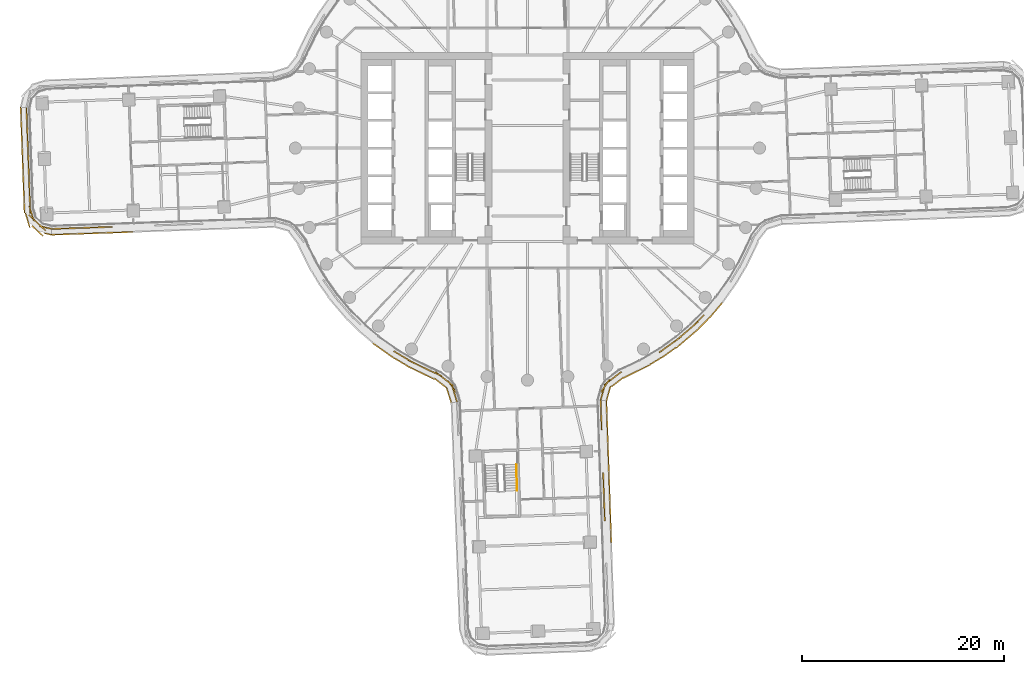
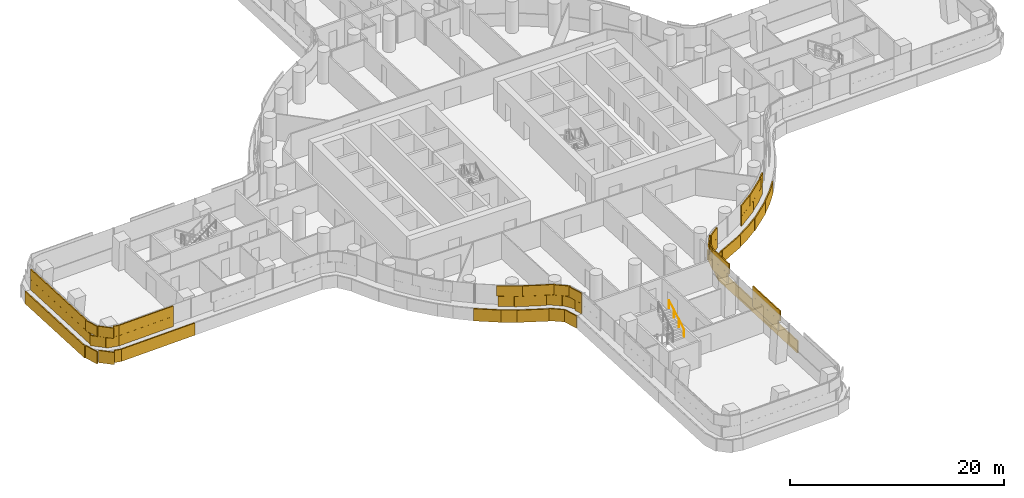
# One storey, part 26 of 31: 5 coverings, 1 railing.
"""IFC4 building model written with IfcOpenShell, lengths in metres."""

from ifc_helpers import new_model, si_unit, direction, frame, origin, origin_2d, place, context, subcontext, project, spatial, rectangle, circle, extrude, material, layer, layer_set, type_object, element, save


model = new_model("IFC4")

# Units and contexts
model_context = context("Model", 3, precision=1e-05, world=origin(), true_north=direction((0.0, 1.0)))
body_context = subcontext(model_context, "Body", "Model", "MODEL_VIEW")
ifc_project = project(units=[si_unit("LENGTHUNIT", "METRE"), si_unit("AREAUNIT", "SQUARE_METRE"), si_unit("VOLUMEUNIT", "CUBIC_METRE"), si_unit("PLANEANGLEUNIT", "RADIAN"), si_unit("MASSUNIT", "GRAM", prefix="KILO")], contexts=[model_context])

# Site, building, storey
site_placement = place(None, origin())
site = spatial("IfcSite", under=ifc_project, at=site_placement, CompositionType="ELEMENT")
building_placement = place(site_placement, origin())
building = spatial("IfcBuilding", under=site, at=building_placement, Name="Tamarind Cross Interchange Tower", CompositionType="ELEMENT")
storey_placement = place(building_placement, frame((0.0, 0.0, 41.5)))
storey = spatial("IfcBuildingStorey", under=building, at=storey_placement, Name="L08", CompositionType="ELEMENT", Elevation=41.5)

# Railing
ifc_material_1 = material(Name="Stair handrail")
railing_type = type_object("IfcRailingType", Name="Stair handrail", PredefinedType="HANDRAIL", material=ifc_material_1)
railing_placement = place(storey_placement, frame((-1.01513671875, -33.945068359375, 2.04541015625)))
element("IfcRailing", 1, at=railing_placement, inside=storey, type_object=railing_type, Name="L08 ST6 stair handrail 2", PredefinedType="HANDRAIL", context=body_context, shape_type="SweptSolid", body=[
    extrude(circle(Radius=0.02392578125, at=origin_2d()), frame((0.0, 0.0, 0.8759765625), z_axis=(-0.03046795916, 0.835748683852, 0.548266213535), x_axis=(-0.999336145809, -0.036431685105, 0.0)), (0.0, 0.0, 1.0), 3.109130859375),
    extrude(circle(Radius=0.02099609375, at=origin_2d()), origin(), (0.0, 0.0, 1.0), 0.851806640625),
    extrude(circle(Radius=0.02099609375, at=origin_2d()), frame((-0.031494140625, 0.8662109375, 0.568115234375)), (0.0, 0.0, 1.0), 0.851806640625),
    extrude(circle(Radius=0.02099609375, at=origin_2d()), frame((-0.063232421875, 1.732177734375, 1.136474609375)), (0.0, 0.0, 1.0), 0.851806640625),
    extrude(circle(Radius=0.02099609375, at=origin_2d()), frame((-0.0947265625, 2.598388671875, 1.70458984375)), (0.0, 0.0, 1.0), 0.851806640625),
])

# Coverings
ifc_material_2 = material(Name="Terracotta", Category="masonry")
ifc_layer = layer(ifc_material_2, 0.1201171875)
ifc_layer_set = layer_set([ifc_layer], Name="Terracotta")
covering_type = type_object("IfcCoveringType", Name="Terracotta baguette screen unit", PredefinedType="MOLDING", material=ifc_layer_set)
covering_1_placement = place(storey_placement, origin())
element("IfcCovering", 2, at=covering_1_placement, inside=storey, type_object=covering_type, Name="SCR-L08-00-00", PredefinedType="MOLDING", context=body_context, shape_type="SweptSolid", body=[
    extrude(rectangle(XDim=1.510009765625, YDim=0.1201171875, at=origin_2d()), frame((-49.629150390625, 3.256591796875, 1.404052734375), z_axis=(0.0, 0.0, 1.0), x_axis=(0.036462315768, -0.999335028671, 0.0)), (0.0, 0.0, 1.0), 1.1669921875),
    extrude(rectangle(XDim=1.52001953125, YDim=0.1201171875, at=origin_2d()), frame((-49.574462890625, 1.757568359375, 1.404052734375), z_axis=(0.0, 0.0, 1.0), x_axis=(0.036462315768, -0.999335028671, 0.0)), (0.0, 0.0, 1.0), 1.1669921875),
    extrude(rectangle(XDim=1.52001953125, YDim=0.1201171875, at=origin_2d()), frame((-49.519775390625, 0.258544921875, 1.404052734375), z_axis=(0.0, 0.0, 1.0), x_axis=(0.036462315768, -0.999335028671, 0.0)), (0.0, 0.0, 1.0), 1.1669921875),
    extrude(rectangle(XDim=1.52001953125, YDim=0.1201171875, at=origin_2d()), frame((-49.465087890625, -1.240478515625, 1.404052734375), z_axis=(0.0, 0.0, 1.0), x_axis=(0.036462315768, -0.999335028671, 0.0)), (0.0, 0.0, 1.0), 1.1669921875),
    extrude(rectangle(XDim=1.52001953125, YDim=0.1201171875, at=origin_2d()), frame((-49.410400390625, -2.739501953125, 1.404052734375), z_axis=(0.0, 0.0, 1.0), x_axis=(0.036462315768, -0.999335028671, 0.0)), (0.0, 0.0, 1.0), 1.1669921875),
    extrude(rectangle(XDim=1.52001953125, YDim=0.1201171875, at=origin_2d()), frame((-49.355712890625, -4.238525390625, 1.404052734375), z_axis=(0.0, 0.0, 1.0), x_axis=(0.036462315768, -0.999335028671, 0.0)), (0.0, 0.0, 1.0), 1.1669921875),
    extrude(rectangle(XDim=1.52001953125, YDim=0.1201171875, at=origin_2d()), frame((-49.301025390625, -5.737548828125, 1.404052734375), z_axis=(0.0, 0.0, 1.0), x_axis=(0.036462315768, -0.999335028671, 0.0)), (0.0, 0.0, 1.0), 1.1669921875),
    extrude(rectangle(XDim=1.52001953125, YDim=0.1201171875, at=origin_2d()), frame((-48.86279296875, -7.140380859375, 1.404052734375), z_axis=(0.0, 0.0, 1.0), x_axis=(0.732419326188, -0.680853824713, 0.0)), (0.0, 0.0, 1.0), 1.1669921875),
    extrude(rectangle(XDim=1.259521484375, YDim=0.1201171875, at=origin_2d()), frame((-47.74755859375, -7.872314453125, 1.404052734375), z_axis=(0.0, 0.0, 1.0), x_axis=(0.974720655058, -0.223427045372, 0.0)), (0.0, 0.0, 1.0), 1.1669921875),
    extrude(rectangle(XDim=0.760009765625, YDim=0.1201171875, at=origin_2d()), frame((-49.642822265625, 3.63134765625, 2.5791015625), z_axis=(0.0, 0.0, 1.0), x_axis=(0.036462315768, -0.999335028671, 0.0)), (0.0, 0.0, 1.0), 1.1669921875),
    extrude(rectangle(XDim=1.52001953125, YDim=0.1201171875, at=origin_2d()), frame((-49.601806640625, 2.507080078125, 2.5791015625), z_axis=(0.0, 0.0, 1.0), x_axis=(0.036462315768, -0.999335028671, 0.0)), (0.0, 0.0, 1.0), 1.1669921875),
    extrude(rectangle(XDim=1.52001953125, YDim=0.1201171875, at=origin_2d()), frame((-49.547119140625, 1.008056640625, 2.5791015625), z_axis=(0.0, 0.0, 1.0), x_axis=(0.036462315768, -0.999335028671, 0.0)), (0.0, 0.0, 1.0), 1.1669921875),
    extrude(rectangle(XDim=1.52001953125, YDim=0.1201171875, at=origin_2d()), frame((-49.492431640625, -0.490966796875, 2.5791015625), z_axis=(0.0, 0.0, 1.0), x_axis=(0.036462315768, -0.999335028671, 0.0)), (0.0, 0.0, 1.0), 1.1669921875),
    extrude(rectangle(XDim=1.52001953125, YDim=0.1201171875, at=origin_2d()), frame((-49.437744140625, -1.989990234375, 2.5791015625), z_axis=(0.0, 0.0, 1.0), x_axis=(0.036462315768, -0.999335028671, 0.0)), (0.0, 0.0, 1.0), 1.1669921875),
    extrude(rectangle(XDim=1.52001953125, YDim=0.1201171875, at=origin_2d()), frame((-49.383056640625, -3.489013671875, 2.5791015625), z_axis=(0.0, 0.0, 1.0), x_axis=(0.036462315768, -0.999335028671, 0.0)), (0.0, 0.0, 1.0), 1.1669921875),
    extrude(rectangle(XDim=1.52001953125, YDim=0.1201171875, at=origin_2d()), frame((-49.328369140625, -4.988037109375, 2.5791015625), z_axis=(0.0, 0.0, 1.0), x_axis=(0.036462315768, -0.999335028671, 0.0)), (0.0, 0.0, 1.0), 1.1669921875),
    extrude(rectangle(XDim=1.52001953125, YDim=0.1201171875, at=origin_2d()), frame((-49.151123046875, -6.46630859375, 2.5791015625), z_axis=(0.0, 0.0, 1.0), x_axis=(0.293866830345, -0.955846371559, 0.0)), (0.0, 0.0, 1.0), 1.1669921875),
    extrude(rectangle(XDim=1.52001953125, YDim=0.1201171875, at=origin_2d()), frame((-48.3134765625, -7.651123046875, 2.5791015625), z_axis=(0.0, 0.0, 1.0), x_axis=(0.732419326188, -0.680853824713, 0.0)), (0.0, 0.0, 1.0), 1.1669921875),
    extrude(rectangle(XDim=0.509521484375, YDim=0.1201171875, at=origin_2d()), frame((-47.382080078125, -7.9560546875, 2.5791015625), z_axis=(0.0, 0.0, 1.0), x_axis=(0.974720655058, -0.223427045372, 0.0)), (0.0, 0.0, 1.0), 1.1669921875),
    extrude(rectangle(XDim=1.510009765625, YDim=0.1201171875, at=origin_2d()), frame((-50.20556640625, 3.30615234375, 0.00390625), z_axis=(0.0, 0.0, 1.0), x_axis=(0.036462315768, -0.999335028671, 0.0)), (0.0, 0.0, 1.0), 1.39208984375),
    extrude(rectangle(XDim=1.52001953125, YDim=0.1201171875, at=origin_2d()), frame((-50.15087890625, 1.812255859375, 0.00390625), z_axis=(0.0, 0.0, 1.0), x_axis=(0.036462315768, -0.999335028671, 0.0)), (0.0, 0.0, 1.0), 1.39208984375),
    extrude(rectangle(XDim=1.52001953125, YDim=0.1201171875, at=origin_2d()), frame((-50.09619140625, 0.313232421875, 0.00390625), z_axis=(0.0, 0.0, 1.0), x_axis=(0.036462315768, -0.999335028671, 0.0)), (0.0, 0.0, 1.0), 1.39208984375),
    extrude(rectangle(XDim=1.52001953125, YDim=0.1201171875, at=origin_2d()), frame((-50.04150390625, -1.185791015625, 0.00390625), z_axis=(0.0, 0.0, 1.0), x_axis=(0.036462315768, -0.999335028671, 0.0)), (0.0, 0.0, 1.0), 1.39208984375),
    extrude(rectangle(XDim=1.52001953125, YDim=0.1201171875, at=origin_2d()), frame((-49.98681640625, -2.684814453125, 0.00390625), z_axis=(0.0, 0.0, 1.0), x_axis=(0.036462315768, -0.999335028671, 0.0)), (0.0, 0.0, 1.0), 1.39208984375),
    extrude(rectangle(XDim=1.52001953125, YDim=0.1201171875, at=origin_2d()), frame((-49.93212890625, -4.183837890625, 0.00390625), z_axis=(0.0, 0.0, 1.0), x_axis=(0.036462315768, -0.999335028671, 0.0)), (0.0, 0.0, 1.0), 1.39208984375),
    extrude(rectangle(XDim=1.52001953125, YDim=0.1201171875, at=origin_2d()), frame((-49.87744140625, -5.682861328125, 0.00390625), z_axis=(0.0, 0.0, 1.0), x_axis=(0.036462315768, -0.999335028671, 0.0)), (0.0, 0.0, 1.0), 1.39208984375),
    extrude(rectangle(XDim=1.52001953125, YDim=0.1201171875, at=origin_2d()), frame((-49.546142578125, -7.135009765625, 0.00390625), z_axis=(0.0, 0.0, 1.0), x_axis=(0.293866830345, -0.955846371559, 0.0)), (0.0, 0.0, 1.0), 1.39208984375),
    extrude(rectangle(XDim=1.52001953125, YDim=0.1201171875, at=origin_2d()), frame((-48.546142578125, -8.21826171875, 0.00390625), z_axis=(0.0, 0.0, 1.0), x_axis=(0.732419326188, -0.680853824713, 0.0)), (0.0, 0.0, 1.0), 1.39208984375),
    extrude(rectangle(XDim=0.676513671875, YDim=0.1201171875, at=origin_2d()), frame((-47.5234375, -8.5126953125, 0.00390625), z_axis=(0.0, 0.0, 1.0), x_axis=(0.974720655058, -0.223427045372, 0.0)), (0.0, 0.0, 1.0), 1.39208984375),
])
covering_2_placement = place(storey_placement, origin())
element("IfcCovering", 3, at=covering_2_placement, inside=storey, type_object=covering_type, Name="SCR-L08-01-00", PredefinedType="MOLDING", context=body_context, shape_type="SweptSolid", body=[
    extrude(rectangle(XDim=1.510009765625, YDim=0.1201171875, at=origin_2d()), frame((-46.38916015625, -7.986083984375, 1.404052734375), z_axis=(0.0, 0.0, 1.0), x_axis=(0.999410116016, 0.034342684894, 0.0)), (0.0, 0.0, 1.0), 1.1669921875),
    extrude(rectangle(XDim=1.52001953125, YDim=0.1201171875, at=origin_2d()), frame((-44.889892578125, -7.9345703125, 1.404052734375), z_axis=(0.0, 0.0, 1.0), x_axis=(0.999410116016, 0.034342684894, 0.0)), (0.0, 0.0, 1.0), 1.1669921875),
    extrude(rectangle(XDim=1.52001953125, YDim=0.1201171875, at=origin_2d()), frame((-43.390869140625, -7.883056640625, 1.404052734375), z_axis=(0.0, 0.0, 1.0), x_axis=(0.999410116016, 0.034342684894, 0.0)), (0.0, 0.0, 1.0), 1.1669921875),
    extrude(rectangle(XDim=1.52001953125, YDim=0.1201171875, at=origin_2d()), frame((-41.891845703125, -7.83154296875, 1.404052734375), z_axis=(0.0, 0.0, 1.0), x_axis=(0.999410116016, 0.034342684894, 0.0)), (0.0, 0.0, 1.0), 1.1669921875),
    extrude(rectangle(XDim=0.760009765625, YDim=0.1201171875, at=origin_2d()), frame((-46.763916015625, -7.9990234375, 2.5791015625), z_axis=(0.0, 0.0, 1.0), x_axis=(0.999410116016, 0.034342684894, 0.0)), (0.0, 0.0, 1.0), 1.1669921875),
    extrude(rectangle(XDim=1.52001953125, YDim=0.1201171875, at=origin_2d()), frame((-45.6396484375, -7.96044921875, 2.5791015625), z_axis=(0.0, 0.0, 1.0), x_axis=(0.999410116016, 0.034342684894, 0.0)), (0.0, 0.0, 1.0), 1.1669921875),
    extrude(rectangle(XDim=1.52001953125, YDim=0.1201171875, at=origin_2d()), frame((-44.140380859375, -7.908935546875, 2.5791015625), z_axis=(0.0, 0.0, 1.0), x_axis=(0.999410116016, 0.034342684894, 0.0)), (0.0, 0.0, 1.0), 1.1669921875),
    extrude(rectangle(XDim=1.52001953125, YDim=0.1201171875, at=origin_2d()), frame((-42.641357421875, -7.857421875, 2.5791015625), z_axis=(0.0, 0.0, 1.0), x_axis=(0.999410116016, 0.034342684894, 0.0)), (0.0, 0.0, 1.0), 1.1669921875),
    extrude(rectangle(XDim=0.76123046875, YDim=0.1201171875, at=origin_2d()), frame((-41.516357421875, -7.818603515625, 2.5791015625), z_axis=(0.0, 0.0, 1.0), x_axis=(0.999410116016, 0.034342684894, 0.0)), (0.0, 0.0, 1.0), 1.1669921875),
    extrude(rectangle(XDim=1.510009765625, YDim=0.1201171875, at=origin_2d()), frame((-46.439208984375, -8.562255859375, 0.00390625), z_axis=(0.0, 0.0, 1.0), x_axis=(0.999410116016, 0.034342684894, 0.0)), (0.0, 0.0, 1.0), 1.39208984375),
    extrude(rectangle(XDim=1.52001953125, YDim=0.1201171875, at=origin_2d()), frame((-44.945068359375, -8.510986328125, 0.00390625), z_axis=(0.0, 0.0, 1.0), x_axis=(0.999410116016, 0.034342684894, 0.0)), (0.0, 0.0, 1.0), 1.39208984375),
    extrude(rectangle(XDim=1.52001953125, YDim=0.1201171875, at=origin_2d()), frame((-43.446044921875, -8.45947265625, 0.00390625), z_axis=(0.0, 0.0, 1.0), x_axis=(0.999410116016, 0.034342684894, 0.0)), (0.0, 0.0, 1.0), 1.39208984375),
    extrude(rectangle(XDim=1.52001953125, YDim=0.1201171875, at=origin_2d()), frame((-41.947021484375, -8.407958984375, 0.00390625), z_axis=(0.0, 0.0, 1.0), x_axis=(0.999410116016, 0.034342684894, 0.0)), (0.0, 0.0, 1.0), 1.39208984375),
    extrude(rectangle(XDim=1.52001953125, YDim=0.1201171875, at=origin_2d()), frame((-40.44775390625, -8.3564453125, 0.00390625), z_axis=(0.0, 0.0, 1.0), x_axis=(0.999410116016, 0.034342684894, 0.0)), (0.0, 0.0, 1.0), 1.39208984375),
    extrude(rectangle(XDim=0.606201171875, YDim=0.1201171875, at=origin_2d()), frame((-39.4052734375, -8.320556640625, 0.00390625), z_axis=(0.0, 0.0, 1.0), x_axis=(0.999410116016, 0.034342684894, 0.0)), (0.0, 0.0, 1.0), 1.39208984375),
])
covering_3_placement = place(storey_placement, origin())
element("IfcCovering", 4, at=covering_3_placement, inside=storey, type_object=covering_type, Name="SCR-L08-02-01", PredefinedType="MOLDING", context=body_context, shape_type="SweptSolid", body=[
    extrude(rectangle(XDim=1.52001953125, YDim=0.1201171875, at=origin_2d()), frame((-12.492919921875, -20.571044921875, 1.404052734375), z_axis=(0.0, 0.0, 1.0), x_axis=(0.861248933065, -0.508183308752, 0.0)), (0.0, 0.0, 1.0), 1.1669921875),
    extrude(rectangle(XDim=1.52001953125, YDim=0.1201171875, at=origin_2d()), frame((-11.193115234375, -21.31884765625, 1.404052734375), z_axis=(0.0, 0.0, 1.0), x_axis=(0.900272776334, -0.435326231914, 0.0)), (0.0, 0.0, 1.0), 1.1669921875),
    extrude(rectangle(XDim=1.52001953125, YDim=0.1201171875, at=origin_2d()), frame((-9.8427734375, -21.971923828125, 1.404052734375), z_axis=(0.0, 0.0, 1.0), x_axis=(0.900272776334, -0.435326231914, 0.0)), (0.0, 0.0, 1.0), 1.1669921875),
    extrude(rectangle(XDim=1.52001953125, YDim=0.1201171875, at=origin_2d()), frame((-8.510986328125, -22.6474609375, 1.404052734375), z_axis=(0.0, 0.0, 1.0), x_axis=(0.788392682786, -0.615172315477, 0.0)), (0.0, 0.0, 1.0), 1.1669921875),
    extrude(rectangle(XDim=1.52001953125, YDim=0.1201171875, at=origin_2d()), frame((-7.438720703125, -23.67578125, 1.404052734375), z_axis=(0.0, 0.0, 1.0), x_axis=(0.579094862794, -0.815260166993, 0.0)), (0.0, 0.0, 1.0), 1.1669921875),
    extrude(rectangle(XDim=0.8056640625, YDim=0.1201171875, at=origin_2d()), frame((-7.097412109375, -24.771484375, 1.404052734375), z_axis=(0.0, 0.0, 1.0), x_axis=(0.295921514349, -0.955212257745, 0.0)), (0.0, 0.0, 1.0), 1.1669921875),
    extrude(rectangle(XDim=0.90576171875, YDim=0.1201171875, at=origin_2d()), frame((-12.878662109375, -20.343505859375, 2.5791015625), z_axis=(0.0, 0.0, 1.0), x_axis=(0.861248933065, -0.508183308752, 0.0)), (0.0, 0.0, 1.0), 1.1669921875),
    extrude(rectangle(XDim=1.52001953125, YDim=0.1201171875, at=origin_2d()), frame((-11.846923828125, -20.9521484375, 2.5791015625), z_axis=(0.0, 0.0, 1.0), x_axis=(0.861248933065, -0.508183308752, 0.0)), (0.0, 0.0, 1.0), 1.1669921875),
    extrude(rectangle(XDim=1.52001953125, YDim=0.1201171875, at=origin_2d()), frame((-10.51806640625, -21.645263671875, 2.5791015625), z_axis=(0.0, 0.0, 1.0), x_axis=(0.900272776334, -0.435326231914, 0.0)), (0.0, 0.0, 1.0), 1.1669921875),
    extrude(rectangle(XDim=1.52001953125, YDim=0.1201171875, at=origin_2d()), frame((-9.1611328125, -22.2841796875, 2.5791015625), z_axis=(0.0, 0.0, 1.0), x_axis=(0.914475969182, -0.404640212769, 0.0)), (0.0, 0.0, 1.0), 1.1669921875),
    extrude(rectangle(XDim=1.52001953125, YDim=0.1201171875, at=origin_2d()), frame((-7.919677734375, -23.10888671875, 2.5791015625), z_axis=(0.0, 0.0, 1.0), x_axis=(0.788392682786, -0.615172315477, 0.0)), (0.0, 0.0, 1.0), 1.1669921875),
    extrude(rectangle(XDim=1.52001953125, YDim=0.1201171875, at=origin_2d()), frame((-7.21533203125, -24.391357421875, 2.5791015625), z_axis=(0.0, 0.0, 1.0), x_axis=(0.295921514349, -0.955212257745, 0.0)), (0.0, 0.0, 1.0), 1.1669921875),
    extrude(rectangle(XDim=0.0556640625, YDim=0.1201171875, at=origin_2d()), frame((-6.986572265625, -25.129638671875, 2.5791015625), z_axis=(0.0, 0.0, 1.0), x_axis=(0.295921514349, -0.955212257745, 0.0)), (0.0, 0.0, 1.0), 1.1669921875),
    extrude(rectangle(XDim=1.076904296875, YDim=0.1201171875, at=origin_2d()), frame((-14.886962890625, -19.650146484375, 0.00390625), z_axis=(0.0, 0.0, 1.0), x_axis=(0.816341886298, -0.577568978284, 0.0)), (0.0, 0.0, 1.0), 1.39208984375),
    extrude(rectangle(XDim=1.52001953125, YDim=0.1201171875, at=origin_2d()), frame((-13.84326171875, -20.388427734375, 0.00390625), z_axis=(0.0, 0.0, 1.0), x_axis=(0.816341886298, -0.577568978284, 0.0)), (0.0, 0.0, 1.0), 1.39208984375),
    extrude(rectangle(XDim=1.52001953125, YDim=0.1201171875, at=origin_2d()), frame((-12.57568359375, -21.1884765625, 0.00390625), z_axis=(0.0, 0.0, 1.0), x_axis=(0.861248933065, -0.508183308752, 0.0)), (0.0, 0.0, 1.0), 1.39208984375),
    extrude(rectangle(XDim=1.52001953125, YDim=0.1201171875, at=origin_2d()), frame((-11.267578125, -21.92041015625, 0.00390625), z_axis=(0.0, 0.0, 1.0), x_axis=(0.900272776334, -0.435326231914, 0.0)), (0.0, 0.0, 1.0), 1.39208984375),
    extrude(rectangle(XDim=1.52001953125, YDim=0.1201171875, at=origin_2d()), frame((-9.917236328125, -22.573486328125, 0.00390625), z_axis=(0.0, 0.0, 1.0), x_axis=(0.900272776334, -0.435326231914, 0.0)), (0.0, 0.0, 1.0), 1.39208984375),
    extrude(rectangle(XDim=1.52001953125, YDim=0.1201171875, at=origin_2d()), frame((-8.61376953125, -23.295166015625, 0.00390625), z_axis=(0.0, 0.0, 1.0), x_axis=(0.788392682786, -0.615172315477, 0.0)), (0.0, 0.0, 1.0), 1.39208984375),
    extrude(rectangle(XDim=1.52001953125, YDim=0.1201171875, at=origin_2d()), frame((-7.78759765625, -24.48388671875, 0.00390625), z_axis=(0.0, 0.0, 1.0), x_axis=(0.295921514349, -0.955212257745, 0.0)), (0.0, 0.0, 1.0), 1.39208984375),
    extrude(rectangle(XDim=0.060546875, YDim=0.1201171875, at=origin_2d()), frame((-7.5595703125, -25.2197265625, 0.00390625), z_axis=(0.0, 0.0, 1.0), x_axis=(0.295921514349, -0.955212257745, 0.0)), (0.0, 0.0, 1.0), 1.39208984375),
])
covering_4_placement = place(storey_placement, origin())
element("IfcCovering", 5, at=covering_4_placement, inside=storey, type_object=covering_type, Name="SCR-L08-05-01", PredefinedType="MOLDING", context=body_context, shape_type="SweptSolid", body=[
    extrude(rectangle(XDim=1.52001953125, YDim=0.1201171875, at=origin_2d()), frame((7.62548828125, -35.895263671875, 1.404052734375), z_axis=(0.0, 0.0, 1.0), x_axis=(-0.034342684894, 0.999410116016, 0.0)), (0.0, 0.0, 1.0), 1.1669921875),
    extrude(rectangle(XDim=1.52001953125, YDim=0.1201171875, at=origin_2d()), frame((7.573974609375, -34.396240234375, 1.404052734375), z_axis=(0.0, 0.0, 1.0), x_axis=(-0.034342684894, 0.999410116016, 0.0)), (0.0, 0.0, 1.0), 1.1669921875),
    extrude(rectangle(XDim=1.52001953125, YDim=0.1201171875, at=origin_2d()), frame((7.5224609375, -32.89697265625, 1.404052734375), z_axis=(0.0, 0.0, 1.0), x_axis=(-0.034342684894, 0.999410116016, 0.0)), (0.0, 0.0, 1.0), 1.1669921875),
    extrude(rectangle(XDim=1.52001953125, YDim=0.1201171875, at=origin_2d()), frame((7.31640625, -26.900634765625, 1.404052734375), z_axis=(0.0, 0.0, 1.0), x_axis=(-0.034342684894, 0.999410116016, 0.0)), (0.0, 0.0, 1.0), 1.1669921875),
    extrude(rectangle(XDim=1.177490234375, YDim=0.1201171875, at=origin_2d()), frame((7.270751953125, -25.567626953125, 1.404052734375), z_axis=(0.0, 0.0, 1.0), x_axis=(-0.034342684894, 0.999410116016, 0.0)), (0.0, 0.0, 1.0), 1.1669921875),
    extrude(rectangle(XDim=1.05859375, YDim=0.1201171875, at=origin_2d()), frame((7.6435546875, -36.41943359375, 2.5791015625), z_axis=(0.0, 0.0, 1.0), x_axis=(-0.034342684894, 0.999410116016, 0.0)), (0.0, 0.0, 1.0), 1.1669921875),
    extrude(rectangle(XDim=1.52001953125, YDim=0.1201171875, at=origin_2d()), frame((7.599853515625, -35.145751953125, 2.5791015625), z_axis=(0.0, 0.0, 1.0), x_axis=(-0.034342684894, 0.999410116016, 0.0)), (0.0, 0.0, 1.0), 1.1669921875),
    extrude(rectangle(XDim=1.52001953125, YDim=0.1201171875, at=origin_2d()), frame((7.54833984375, -33.646728515625, 2.5791015625), z_axis=(0.0, 0.0, 1.0), x_axis=(-0.034342684894, 0.999410116016, 0.0)), (0.0, 0.0, 1.0), 1.1669921875),
    extrude(rectangle(XDim=0.760498046875, YDim=0.1201171875, at=origin_2d()), frame((7.509765625, -32.52197265625, 2.5791015625), z_axis=(0.0, 0.0, 1.0), x_axis=(-0.034342684894, 0.999410116016, 0.0)), (0.0, 0.0, 1.0), 1.1669921875),
    extrude(rectangle(XDim=1.0595703125, YDim=0.1201171875, at=origin_2d()), frame((7.33447265625, -27.425048828125, 2.5791015625), z_axis=(0.0, 0.0, 1.0), x_axis=(-0.034342684894, 0.999410116016, 0.0)), (0.0, 0.0, 1.0), 1.1669921875),
    extrude(rectangle(XDim=1.52001953125, YDim=0.1201171875, at=origin_2d()), frame((7.290771484375, -26.151123046875, 2.5791015625), z_axis=(0.0, 0.0, 1.0), x_axis=(-0.034342684894, 0.999410116016, 0.0)), (0.0, 0.0, 1.0), 1.1669921875),
    extrude(rectangle(XDim=0.427490234375, YDim=0.1201171875, at=origin_2d()), frame((7.2578125, -25.19287109375, 2.5791015625), z_axis=(0.0, 0.0, 1.0), x_axis=(-0.034342684894, 0.999410116016, 0.0)), (0.0, 0.0, 1.0), 1.1669921875),
    extrude(rectangle(XDim=0.913818359375, YDim=0.1201171875, at=origin_2d()), frame((8.29443359375, -38.645751953125, 0.00390625), z_axis=(0.0, 0.0, 1.0), x_axis=(-0.034342684894, 0.999410116016, 0.0)), (0.0, 0.0, 1.0), 1.39208984375),
    extrude(rectangle(XDim=1.52001953125, YDim=0.1201171875, at=origin_2d()), frame((8.25341796875, -37.44970703125, 0.00390625), z_axis=(0.0, 0.0, 1.0), x_axis=(-0.034342684894, 0.999410116016, 0.0)), (0.0, 0.0, 1.0), 1.39208984375),
    extrude(rectangle(XDim=1.52001953125, YDim=0.1201171875, at=origin_2d()), frame((8.201904296875, -35.950439453125, 0.00390625), z_axis=(0.0, 0.0, 1.0), x_axis=(-0.034342684894, 0.999410116016, 0.0)), (0.0, 0.0, 1.0), 1.39208984375),
    extrude(rectangle(XDim=1.52001953125, YDim=0.1201171875, at=origin_2d()), frame((8.150390625, -34.451416015625, 0.00390625), z_axis=(0.0, 0.0, 1.0), x_axis=(-0.034342684894, 0.999410116016, 0.0)), (0.0, 0.0, 1.0), 1.39208984375),
    extrude(rectangle(XDim=1.52001953125, YDim=0.1201171875, at=origin_2d()), frame((8.098876953125, -32.9521484375, 0.00390625), z_axis=(0.0, 0.0, 1.0), x_axis=(-0.034342684894, 0.999410116016, 0.0)), (0.0, 0.0, 1.0), 1.39208984375),
    extrude(rectangle(XDim=1.52001953125, YDim=0.1201171875, at=origin_2d()), frame((8.04736328125, -31.453125, 0.00390625), z_axis=(0.0, 0.0, 1.0), x_axis=(-0.034342684894, 0.999410116016, 0.0)), (0.0, 0.0, 1.0), 1.39208984375),
    extrude(rectangle(XDim=1.52001953125, YDim=0.1201171875, at=origin_2d()), frame((7.995849609375, -29.9541015625, 0.00390625), z_axis=(0.0, 0.0, 1.0), x_axis=(-0.034342684894, 0.999410116016, 0.0)), (0.0, 0.0, 1.0), 1.39208984375),
    extrude(rectangle(XDim=1.52001953125, YDim=0.1201171875, at=origin_2d()), frame((7.9443359375, -28.454833984375, 0.00390625), z_axis=(0.0, 0.0, 1.0), x_axis=(-0.034342684894, 0.999410116016, 0.0)), (0.0, 0.0, 1.0), 1.39208984375),
    extrude(rectangle(XDim=1.52001953125, YDim=0.1201171875, at=origin_2d()), frame((7.892822265625, -26.955810546875, 0.00390625), z_axis=(0.0, 0.0, 1.0), x_axis=(-0.034342684894, 0.999410116016, 0.0)), (0.0, 0.0, 1.0), 1.39208984375),
    extrude(rectangle(XDim=1.16357421875, YDim=0.1201171875, at=origin_2d()), frame((7.847412109375, -25.634765625, 0.00390625), z_axis=(0.0, 0.0, 1.0), x_axis=(-0.034342684894, 0.999410116016, 0.0)), (0.0, 0.0, 1.0), 1.39208984375),
])
covering_5_placement = place(storey_placement, origin())
element("IfcCovering", 6, at=covering_5_placement, inside=storey, type_object=covering_type, Name="SCR-L08-06-00", PredefinedType="MOLDING", context=body_context, shape_type="SweptSolid", body=[
    extrude(rectangle(XDim=1.510009765625, YDim=0.1201171875, at=origin_2d()), frame((7.452392578125, -24.261962890625, 1.404052734375), z_axis=(0.0, 0.0, 1.0), x_axis=(0.268984584131, 0.963144482152, 0.0)), (0.0, 0.0, 1.0), 1.1669921875),
    extrude(rectangle(XDim=1.52001953125, YDim=0.1201171875, at=origin_2d()), frame((8.201171875, -23.015869140625, 1.404052734375), z_axis=(0.0, 0.0, 1.0), x_axis=(0.794558864286, 0.607187130285, 0.0)), (0.0, 0.0, 1.0), 1.1669921875),
    extrude(rectangle(XDim=0.66748046875, YDim=0.1201171875, at=origin_2d()), frame((9.058349609375, -22.36083984375, 1.404052734375), z_axis=(0.0, 0.0, 1.0), x_axis=(0.794558864286, 0.607187130285, 0.0)), (0.0, 0.0, 1.0), 1.1669921875),
    extrude(rectangle(XDim=1.15234375, YDim=0.1201171875, at=origin_2d()), frame((13.521728515625, -19.9189453125, 1.404052734375), z_axis=(0.0, 0.0, 1.0), x_axis=(0.811340475102, 0.584573890505, 0.0)), (0.0, 0.0, 1.0), 1.1669921875),
    extrude(rectangle(XDim=1.52001953125, YDim=0.1201171875, at=origin_2d()), frame((14.59375, -19.146484375, 1.404052734375), z_axis=(0.0, 0.0, 1.0), x_axis=(0.811340475102, 0.584573890505, 0.0)), (0.0, 0.0, 1.0), 1.1669921875),
    extrude(rectangle(XDim=1.52001953125, YDim=0.1201171875, at=origin_2d()), frame((15.751953125, -18.19482421875, 1.404052734375), z_axis=(0.0, 0.0, 1.0), x_axis=(0.760295606781, 0.64957723968, 0.0)), (0.0, 0.0, 1.0), 1.1669921875),
    extrude(rectangle(XDim=1.52001953125, YDim=0.1201171875, at=origin_2d()), frame((16.855224609375, -17.18017578125, 1.404052734375), z_axis=(0.0, 0.0, 1.0), x_axis=(0.704057148523, 0.710143317658, 0.0)), (0.0, 0.0, 1.0), 1.1669921875),
    extrude(rectangle(XDim=0.760009765625, YDim=0.1201171875, at=origin_2d()), frame((7.3515625, -24.623046875, 2.5791015625), z_axis=(0.0, 0.0, 1.0), x_axis=(0.268984584131, 0.963144482152, 0.0)), (0.0, 0.0, 1.0), 1.1669921875),
    extrude(rectangle(XDim=1.52001953125, YDim=0.1201171875, at=origin_2d()), frame((7.701904296875, -23.561279296875, 2.5791015625), z_axis=(0.0, 0.0, 1.0), x_axis=(0.548983507671, 0.835833182103, 0.0)), (0.0, 0.0, 1.0), 1.1669921875),
    extrude(rectangle(XDim=1.41748046875, YDim=0.1201171875, at=origin_2d()), frame((8.76025390625, -22.588623046875, 2.5791015625), z_axis=(0.0, 0.0, 1.0), x_axis=(0.794558864286, 0.607187130285, 0.0)), (0.0, 0.0, 1.0), 1.1669921875),
    extrude(rectangle(XDim=0.40234375, YDim=0.1201171875, at=origin_2d()), frame((13.215087890625, -20.134521484375, 2.5791015625), z_axis=(0.0, 0.0, 1.0), x_axis=(0.856843065292, 0.515577308909, 0.0)), (0.0, 0.0, 1.0), 1.1669921875),
    extrude(rectangle(XDim=1.52001953125, YDim=0.1201171875, at=origin_2d()), frame((13.9853515625, -19.5849609375, 2.5791015625), z_axis=(0.0, 0.0, 1.0), x_axis=(0.811340475102, 0.584573890505, 0.0)), (0.0, 0.0, 1.0), 1.1669921875),
    extrude(rectangle(XDim=1.52001953125, YDim=0.1201171875, at=origin_2d()), frame((15.181640625, -18.681884765625, 2.5791015625), z_axis=(0.0, 0.0, 1.0), x_axis=(0.760295606781, 0.64957723968, 0.0)), (0.0, 0.0, 1.0), 1.1669921875),
    extrude(rectangle(XDim=1.52001953125, YDim=0.1201171875, at=origin_2d()), frame((16.322265625, -17.70751953125, 2.5791015625), z_axis=(0.0, 0.0, 1.0), x_axis=(0.760295606781, 0.64957723968, 0.0)), (0.0, 0.0, 1.0), 1.1669921875),
    extrude(rectangle(XDim=0.9140625, YDim=0.1201171875, at=origin_2d()), frame((17.17333984375, -16.859130859375, 2.5791015625), z_axis=(0.0, 0.0, 1.0), x_axis=(0.704057148523, 0.710143317658, 0.0)), (0.0, 0.0, 1.0), 1.1669921875),
    extrude(rectangle(XDim=1.510009765625, YDim=0.1201171875, at=origin_2d()), frame((8.030517578125, -24.326171875, 0.00390625), z_axis=(0.0, 0.0, 1.0), x_axis=(0.268984584131, 0.963144482152, 0.0)), (0.0, 0.0, 1.0), 1.39208984375),
    extrude(rectangle(XDim=1.52001953125, YDim=0.1201171875, at=origin_2d()), frame((8.917236328125, -23.191162109375, 0.00390625), z_axis=(0.0, 0.0, 1.0), x_axis=(0.794558864286, 0.607187130285, 0.0)), (0.0, 0.0, 1.0), 1.39208984375),
    extrude(rectangle(XDim=1.52001953125, YDim=0.1201171875, at=origin_2d()), frame((10.203125, -22.441650390625, 0.00390625), z_axis=(0.0, 0.0, 1.0), x_axis=(0.896492548518, 0.443058811505, 0.0)), (0.0, 0.0, 1.0), 1.39208984375),
    extrude(rectangle(XDim=1.52001953125, YDim=0.1201171875, at=origin_2d()), frame((11.5478515625, -21.777099609375, 0.00390625), z_axis=(0.0, 0.0, 1.0), x_axis=(0.896492548518, 0.443058811505, 0.0)), (0.0, 0.0, 1.0), 1.39208984375),
    extrude(rectangle(XDim=1.52001953125, YDim=0.1201171875, at=origin_2d()), frame((12.845703125, -21.026611328125, 0.00390625), z_axis=(0.0, 0.0, 1.0), x_axis=(0.856843065292, 0.515577308909, 0.0)), (0.0, 0.0, 1.0), 1.39208984375),
    extrude(rectangle(XDim=1.52001953125, YDim=0.1201171875, at=origin_2d()), frame((14.1015625, -20.20849609375, 0.00390625), z_axis=(0.0, 0.0, 1.0), x_axis=(0.811340475102, 0.584573890505, 0.0)), (0.0, 0.0, 1.0), 1.39208984375),
    extrude(rectangle(XDim=1.52001953125, YDim=0.1201171875, at=origin_2d()), frame((15.31298828125, -19.32470703125, 0.00390625), z_axis=(0.0, 0.0, 1.0), x_axis=(0.760295606781, 0.64957723968, 0.0)), (0.0, 0.0, 1.0), 1.39208984375),
    extrude(rectangle(XDim=1.52001953125, YDim=0.1201171875, at=origin_2d()), frame((16.453369140625, -18.350341796875, 0.00390625), z_axis=(0.0, 0.0, 1.0), x_axis=(0.760295606781, 0.64957723968, 0.0)), (0.0, 0.0, 1.0), 1.39208984375),
    extrude(rectangle(XDim=1.52001953125, YDim=0.1201171875, at=origin_2d()), frame((17.53369140625, -17.31103515625, 0.00390625), z_axis=(0.0, 0.0, 1.0), x_axis=(0.704057148523, 0.710143317658, 0.0)), (0.0, 0.0, 1.0), 1.39208984375),
    extrude(rectangle(XDim=1.52001953125, YDim=0.1201171875, at=origin_2d()), frame((18.557373046875, -16.21630859375, 0.00390625), z_axis=(0.0, 0.0, 1.0), x_axis=(0.643009266048, 0.765858396687, 0.0)), (0.0, 0.0, 1.0), 1.39208984375),
    extrude(rectangle(XDim=0.443115234375, YDim=0.1201171875, at=origin_2d()), frame((19.175537109375, -15.479736328125, 0.00390625), z_axis=(0.0, 0.0, 1.0), x_axis=(0.643009266048, 0.765858396687, 0.0)), (0.0, 0.0, 1.0), 1.39208984375),
])

save(model, "model.ifc")
